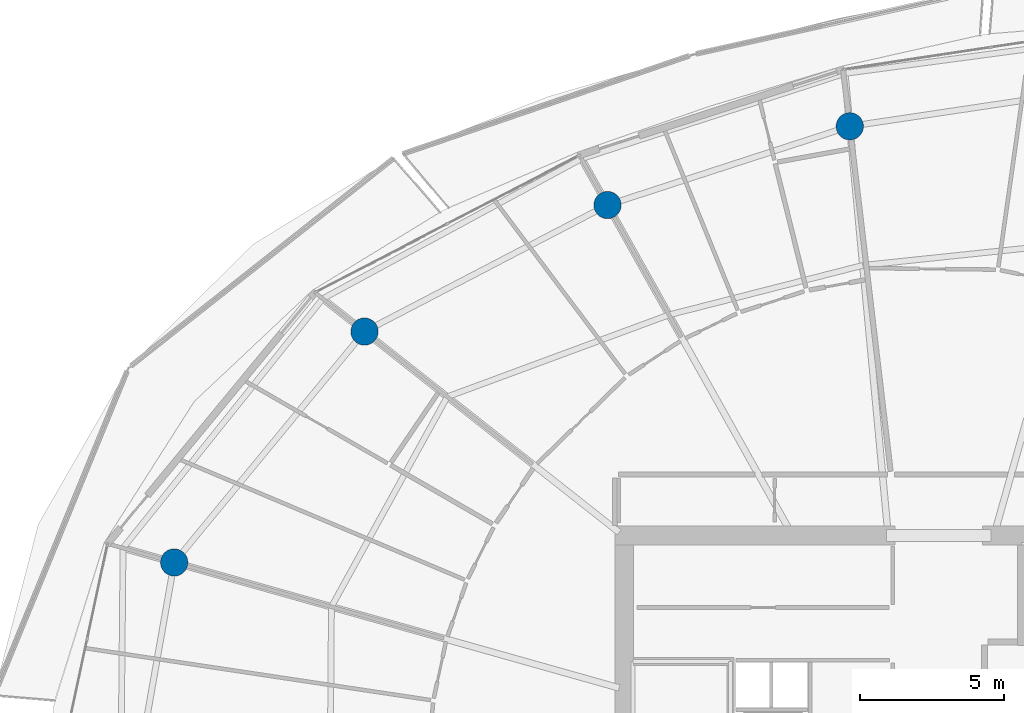
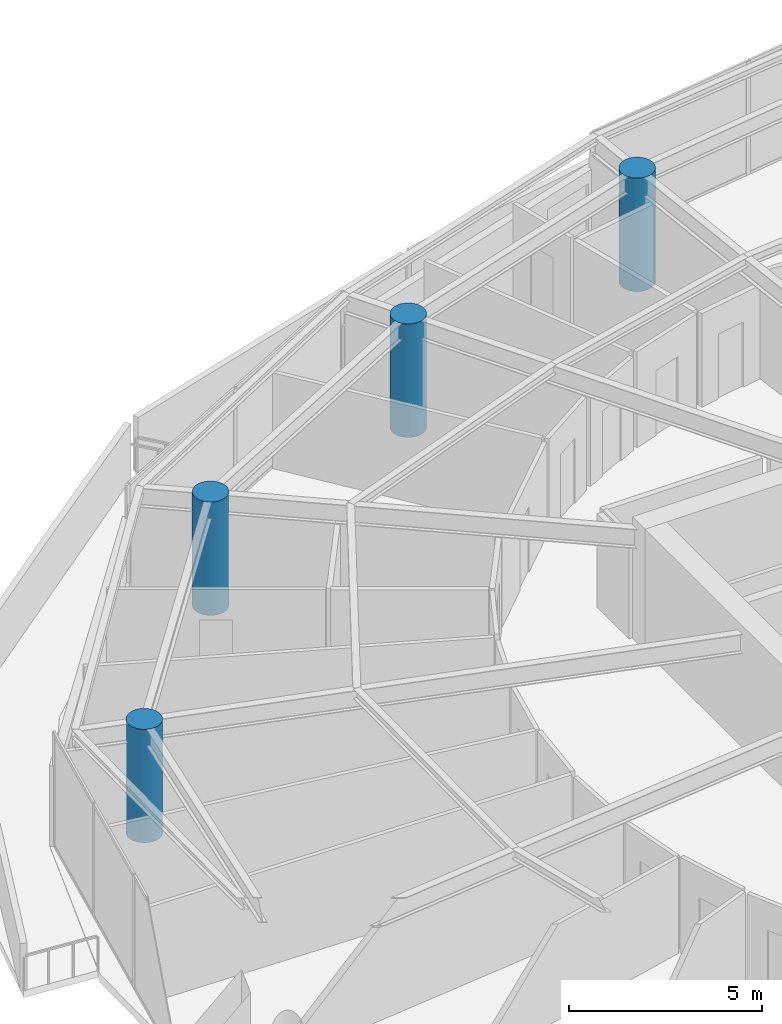
# One storey, part 4 of 30: 4 columns.
"""IFC4 building model written with IfcOpenShell, lengths in metres."""

import ifcopenshell
import ifcopenshell.guid

model = None  # the IFC model being written
_history = None  # IfcOwnerHistory: only IFC2X3 demands one
_inside = {}  # id of a spatial element -> (the spatial element, [elements in it])
_under = {}  # id of a project, library or spatial element -> (it, [spatial elements below it])
_declared = {}  # id of a project -> (the project, [libraries it declares])
_typed = {}  # id of a type object -> (the type object, [elements of that type])
_made_of = {}  # id of a material, layer set ... -> (it, [elements and type objects made of it])


def new_model(schema):
    """Start an empty IFC model of exactly this schema.

    Asked for "IFC4X3", IfcOpenShell would pick the latest addendum, in which some entities
    have other attributes; the version numbers below select the first issue.
    IFC2X3 requires an IfcOwnerHistory on every rooted entity: one is made here for all.
    """
    global model, _history
    if schema == "IFC4X3":
        model = ifcopenshell.file(schema_version=(4, 3, 0, 0))
    else:
        model = ifcopenshell.file(schema=schema)
    _inside.clear()
    _under.clear()
    _declared.clear()
    _typed.clear()
    _made_of.clear()
    _history = None
    if model.schema == "IFC2X3":
        org = make("IfcOrganization", Name="unknown")
        user = make(
            "IfcPersonAndOrganization",
            ThePerson=make("IfcPerson", FamilyName="unknown"),
            TheOrganization=org,
        )
        app = make(
            "IfcApplication",
            ApplicationDeveloper=org,
            Version="unknown",
            ApplicationFullName="unknown",
            ApplicationIdentifier="unknown",
        )
        _history = make(
            "IfcOwnerHistory",
            OwningUser=user,
            OwningApplication=app,
            ChangeAction="ADDED",
            CreationDate=0,
        )
    return model


def make(cls, **values):
    """One entity of the class cls with the attributes given. An attribute that is None is left unset."""
    return model.create_entity(
        cls, **{name: value for name, value in values.items() if value is not None}
    )


def rooted(cls, **values):
    """An entity with a GlobalId (a new one), such as an element, a storey or a relation."""
    return make(cls, GlobalId=ifcopenshell.guid.new(), OwnerHistory=_history, **values)


def si_unit(unit_type, name, prefix=None):
    """IfcSIUnit, for example si_unit("LENGTHUNIT", "METRE", prefix="MILLI")."""
    return make("IfcSIUnit", UnitType=unit_type, Prefix=prefix, Name=name)


def assignment(units):
    """IfcUnitAssignment: the units of a project."""
    return None if units is None else make("IfcUnitAssignment", Units=units)


def point(xyz):
    """IfcCartesianPoint."""
    return None if xyz is None else make("IfcCartesianPoint", Coordinates=xyz)


def direction(xyz):
    """IfcDirection."""
    return None if xyz is None else make("IfcDirection", DirectionRatios=xyz)


def frame(location, z_axis=None, x_axis=None):
    """IfcAxis2Placement3D, a coordinate frame: its origin and axes. An axis left out is left unset."""
    return make(
        "IfcAxis2Placement3D",
        Location=point(location),
        Axis=direction(z_axis),
        RefDirection=direction(x_axis),
    )


def frame_2d(location, x_axis=None):
    """IfcAxis2Placement2D, a coordinate frame in the plane: its origin and x axis."""
    return make(
        "IfcAxis2Placement2D", Location=point(location), RefDirection=direction(x_axis)
    )


def origin():
    """The frame at (0, 0, 0) with its axes left unset."""
    return frame((0.0, 0.0, 0.0))


def origin_2d():
    """The frame at (0, 0) in the plane with its x axis left unset."""
    return frame_2d((0.0, 0.0))


def place(relative_to, where):
    """IfcLocalPlacement: puts the frame where relative to a parent placement (None: the world)."""
    return make(
        "IfcLocalPlacement", PlacementRelTo=relative_to, RelativePlacement=where
    )


def context(
    kind, dimensions, precision=None, world=None, true_north=None, identifier=None
):
    """IfcGeometricRepresentationContext, for example the 3D "Model" context."""
    return make(
        "IfcGeometricRepresentationContext",
        ContextIdentifier=identifier,
        ContextType=kind,
        CoordinateSpaceDimension=dimensions,
        Precision=precision,
        WorldCoordinateSystem=world,
        TrueNorth=true_north,
    )


def subcontext(parent, identifier, kind, view, scale=None):
    """IfcGeometricRepresentationSubContext, for example "Body" below "Model"."""
    return make(
        "IfcGeometricRepresentationSubContext",
        ContextIdentifier=identifier,
        ContextType=kind,
        ParentContext=parent,
        TargetScale=scale,
        TargetView=view,
    )


def project(units=None, contexts=None):
    """IfcProject with its units and contexts."""
    return rooted(
        "IfcProject",
        Name="project",
        RepresentationContexts=contexts,
        UnitsInContext=assignment(units),
    )


def spatial(cls, under=None, at=None, **own):
    """A site, building, storey or space (cls), placed at a placement, below another one or the project."""
    s = rooted(cls, ObjectPlacement=at, **own)
    if under is not None:
        _under.setdefault(under.id(), (under, []))[1].append(s)
    return s


def profile(cls, at=None, kind="AREA", **sizes):
    """A parametric profile (cls). Its sizes go by their IFC names, for example OverallWidth=200.0."""
    return make(cls, ProfileType=kind, Position=at, **sizes)


def circle(**sizes):
    """IfcCircleProfileDef."""
    return profile("IfcCircleProfileDef", **sizes)


def extrude(swept, where, along, depth):
    """IfcExtrudedAreaSolid: the profile swept, set in the frame where, extruded along a direction by depth."""
    return make(
        "IfcExtrudedAreaSolid",
        SweptArea=swept,
        Position=where,
        ExtrudedDirection=direction(along),
        Depth=depth,
    )


def shape(context_of_items, identifier, shape_type, items):
    """IfcShapeRepresentation: the items that make up one representation, for example the "Body"."""
    return make(
        "IfcShapeRepresentation",
        ContextOfItems=context_of_items,
        RepresentationIdentifier=identifier,
        RepresentationType=shape_type,
        Items=items,
    )


def material(Name=None, Category=None):
    """IfcMaterial."""
    return make("IfcMaterial", Name=Name, Category=Category)


def material_profile(
    of_material, cross_section, Name=None, Category=None, Priority=None
):
    """IfcMaterialProfile: a cross section and its material."""
    return make(
        "IfcMaterialProfile",
        Name=Name,
        Material=of_material,
        Profile=cross_section,
        Priority=Priority,
        Category=Category,
    )


def profile_set(profiles, Name=None, composite=None):
    """IfcMaterialProfileSet."""
    return make(
        "IfcMaterialProfileSet",
        Name=Name,
        MaterialProfiles=profiles,
        CompositeProfile=composite,
    )


def made_of(thing, what):
    """Note that an element or type object is made of a material, layer set ...; save() writes the relation."""
    if what is not None:
        _made_of.setdefault(what.id(), (what, []))[1].append(thing)
    return thing


def type_object(cls, material=None, **own):
    """A type object (cls), such as IfcWallType, which elements share."""
    return made_of(rooted(cls, **own), material)


def element(
    cls,
    number,
    at=None,
    inside=None,
    cuts=None,
    type_object=None,
    material=None,
    context=None,
    identifier="Body",
    shape_type=None,
    held_by="IfcProductDefinitionShape",
    body=None,
    shapes=None,
    **own,
):
    """One element of the class cls, such as IfcWall. Its Tag is "e" and its number.

    at: its placement. inside: the storey or other place that contains it. cuts: it is an
    opening in that element (IfcRelVoidsElement). A single representation is given by context,
    identifier, shape_type and body (its items); several are given by shapes. held_by: the class
    of the entity that holds the representations. save() writes the other relations.
    """
    e = rooted(cls, Tag="e%d" % number, ObjectPlacement=at, **own)
    if body is not None:
        shapes = [shape(context, identifier, shape_type, body)]
    if shapes is not None:
        e.Representation = make(held_by, Representations=shapes)
    if inside is not None:
        _inside.setdefault(inside.id(), (inside, []))[1].append(e)
    if cuts is not None:
        rooted(
            "IfcRelVoidsElement", RelatingBuildingElement=cuts, RelatedOpeningElement=e
        )
    if type_object is not None:
        _typed.setdefault(type_object.id(), (type_object, []))[1].append(e)
    return made_of(e, material)


def aggregate(whole, parts):
    """IfcRelAggregates: a whole, such as a stair, and the parts it consists of."""
    return rooted("IfcRelAggregates", RelatingObject=whole, RelatedObjects=parts)


def save(model, path):
    """Write the relations noted so far, then the file.

    IfcRelAggregates (storeys below a building ...), IfcRelContainedInSpatialStructure (elements
    in a storey), IfcRelDefinesByType, IfcRelAssociatesMaterial and IfcRelDeclares: one each for
    every whole, place, type object, material and project.
    """
    for whole, parts in _under.values():
        aggregate(whole, parts)
    for where, things in _inside.values():
        rooted(
            "IfcRelContainedInSpatialStructure",
            RelatedElements=things,
            RelatingStructure=where,
        )
    for kind, things in _typed.values():
        rooted("IfcRelDefinesByType", RelatedObjects=things, RelatingType=kind)
    for what, things in _made_of.values():
        rooted("IfcRelAssociatesMaterial", RelatedObjects=things, RelatingMaterial=what)
    for by, libraries in _declared.values():
        rooted("IfcRelDeclares", RelatingContext=by, RelatedDefinitions=libraries)
    model.write(path)


model = new_model("IFC4")

# Units and contexts
model_context = context("Model", 3, precision=1e-05, world=origin(), true_north=direction((0.0, 1.0)))
body_context = subcontext(model_context, "Body", "Model", "MODEL_VIEW")
ifc_project = project(units=[si_unit("LENGTHUNIT", "METRE"), si_unit("AREAUNIT", "SQUARE_METRE"), si_unit("VOLUMEUNIT", "CUBIC_METRE"), si_unit("PLANEANGLEUNIT", "RADIAN"), si_unit("MASSUNIT", "GRAM", prefix="KILO")], contexts=[model_context])

# Site, building, storey
site_placement = place(None, origin())
site = spatial("IfcSite", under=ifc_project, at=site_placement, CompositionType="ELEMENT")
building_placement = place(site_placement, origin())
building = spatial("IfcBuilding", under=site, at=building_placement, Name="Kazma Halo Residences", CompositionType="ELEMENT")
storey_placement = place(building_placement, frame((0.0, 0.0, 267.5)))
storey = spatial("IfcBuildingStorey", under=building, at=storey_placement, Name="L67", CompositionType="ELEMENT", Elevation=267.5)

# Columns
ifc_material = material(Name="Concrete C60/75", Category="concrete")
ifc_material_profile = material_profile(ifc_material, circle(Radius=0.47509765625, at=origin_2d()), Name="CIRC950")
ifc_profile_set = profile_set([ifc_material_profile], Name="Concrete C60/75")
column_type = type_object("IfcColumnType", Name="COL-PERIM-950", PredefinedType="COLUMN", material=ifc_profile_set)
for number, where, z_axis, x_axis, name in (
    (1, (45.32861328125, 64.57080078125, 0.0), (0.0, 0.0, 1.0), (1.0, 0.0, 0.0), "L67 perimeter ring column P04"),
    (2, (36.89453125, 61.830322265625, 0.0), (0.0, 0.0, 1.0), (1.0, 0.0, 0.0), "L67 perimeter ring column P05"),
    (3, (28.433837890625, 57.4248046875, 0.0), (0.0, 0.0, 1.0), (1.0, 0.0, 0.0), "L67 perimeter ring column P06"),
    (4, (21.80908203125, 49.38671875, 0.0), (0.0, 0.0, 1.0), (1.0, 0.0, 0.0), "L67 perimeter ring column P07"),
):
    element("IfcColumn", number, at=place(storey_placement, frame(where, z_axis=z_axis, x_axis=x_axis)), inside=storey, type_object=column_type, Name=name, PredefinedType="COLUMN", context=body_context, shape_type="SweptSolid", body=[
        extrude(circle(Radius=0.47509765625, at=origin_2d()), origin(), (0.0, 0.0, 1.0), 3.590087890625),
    ])

save(model, "model.ifc")
